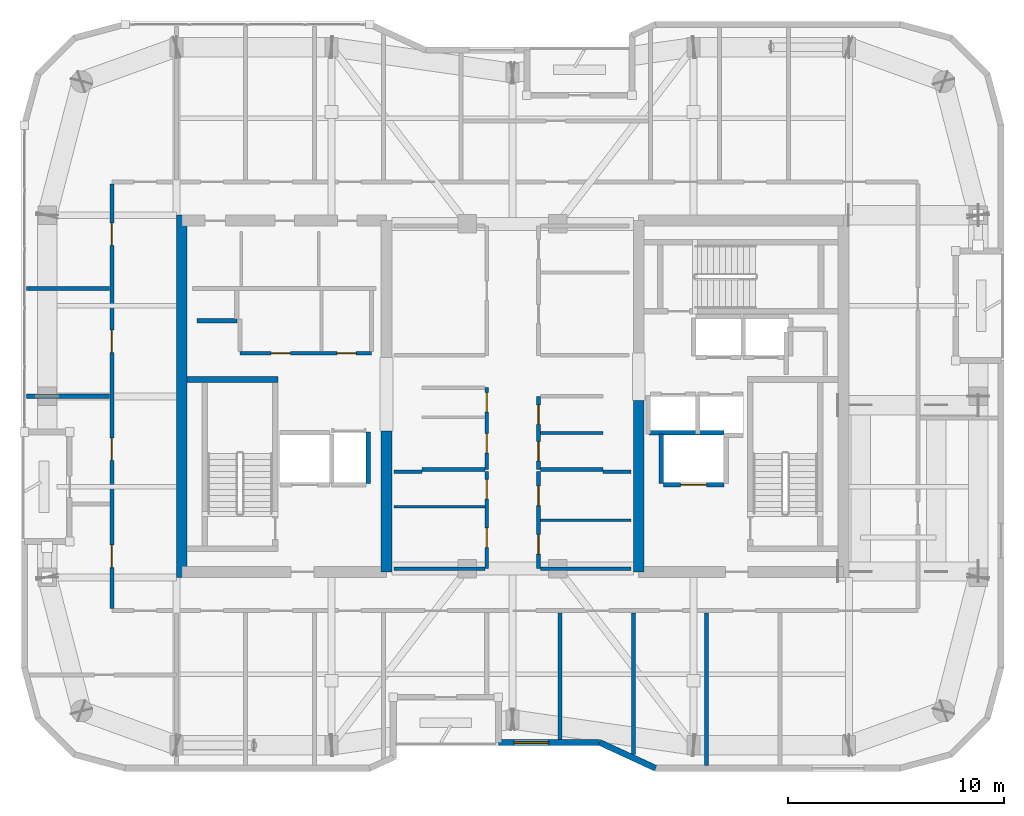
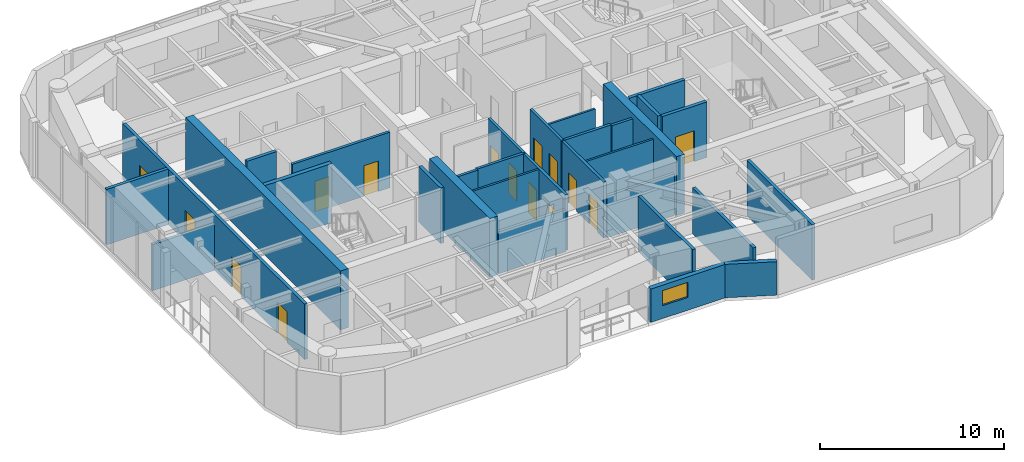
# One storey, part 11 of 16: 31 walls, 15 doors, 1 window, 16 openings.
"""IFC4 building model written with IfcOpenShell, lengths in metres."""

from ifc_helpers import new_model, si_unit, direction, frame, frame_2d, origin, place, context, subcontext, project, spatial, rectangle, extrude, material, layer, layer_set, type_object, element, fill, save


model = new_model("IFC4")

# Units and contexts
model_context = context("Model", 3, precision=1e-05, world=origin(), true_north=direction((0.0, 1.0)))
body_context = subcontext(model_context, "Body", "Model", "MODEL_VIEW")
ifc_project = project(units=[si_unit("LENGTHUNIT", "METRE"), si_unit("AREAUNIT", "SQUARE_METRE"), si_unit("VOLUMEUNIT", "CUBIC_METRE"), si_unit("PLANEANGLEUNIT", "RADIAN"), si_unit("MASSUNIT", "GRAM", prefix="KILO")], contexts=[model_context])

# Site, building, storey
site_placement = place(None, origin())
site = spatial("IfcSite", under=ifc_project, at=site_placement, CompositionType="ELEMENT")
building_placement = place(site_placement, origin())
building = spatial("IfcBuilding", under=site, at=building_placement, Name="Kiyonajd Concourse Tower", CompositionType="ELEMENT")
storey_placement = place(building_placement, frame((0.0, 0.0, 346.5)))
storey = spatial("IfcBuildingStorey", under=building, at=storey_placement, Name="L87", CompositionType="ELEMENT", Elevation=346.5)

# Walls
ifc_material_1 = material(Name="Concrete C60/75", Category="concrete")
ifc_layer_1 = layer(ifc_material_1, 0.5)
ifc_layer_set_1 = layer_set([ifc_layer_1], Name="Concrete C60/75")
wall_type_1 = type_object("IfcWallType", Name="WL-CORE-500", PredefinedType="SHEAR", material=ifc_layer_set_1)
wall_1_placement = place(storey_placement, frame((32.64990234375, 27.60009765625, 0.0), z_axis=(0.0, 0.0, 1.0), x_axis=(0.0, 1.0, 0.0)))
element("IfcWall", 1, at=wall_1_placement, inside=storey, type_object=wall_type_1, Name="L87 West Core Outer Shear Wall", PredefinedType="SHEAR", context=body_context, shape_type="SweptSolid", body=[
    extrude(rectangle(XDim=16.7998046875, YDim=0.5, at=frame_2d((8.39990234375, 0.0))), origin(), (0.0, 0.0, 1.0), 3.89990234375),
])
wall_2_placement = place(storey_placement, frame((42.14990234375, 27.85009765625, 0.0), z_axis=(0.0, 0.0, 1.0), x_axis=(0.0, 1.0, 0.0)))
element("IfcWall", 2, at=wall_2_placement, inside=storey, type_object=wall_type_1, Name="L87 West Core Inner South Shear Wall", PredefinedType="SHEAR", context=body_context, shape_type="SweptSolid", body=[
    extrude(rectangle(XDim=6.5498046875, YDim=0.5, at=frame_2d((3.27490234375, 0.0))), origin(), (0.0, 0.0, 1.0), 3.89990234375),
])
wall_3_placement = place(storey_placement, frame((53.85009765625, 27.85009765625, 0.0), z_axis=(0.0, 0.0, 1.0), x_axis=(0.0, 1.0, 0.0)))
element("IfcWall", 3, at=wall_3_placement, inside=storey, type_object=wall_type_1, Name="L87 East Core Inner South Shear Wall", PredefinedType="SHEAR", context=body_context, shape_type="SweptSolid", body=[
    extrude(rectangle(XDim=7.949951171875, YDim=0.5, at=frame_2d((3.97509765625, 0.0))), origin(), (0.0, 0.0, 1.0), 3.89990234375),
])
ifc_material_2 = material(Name="Precast concrete C50/60", Category="concrete")
ifc_layer_2 = layer(ifc_material_2, 0.280029296875)
ifc_layer_set_2 = layer_set([ifc_layer_2], Name="Precast concrete C50/60")
wall_type_2 = type_object("IfcWallType", Name="WL-EXT-280", PredefinedType="SOLIDWALL", material=ifc_layer_set_2)
wall_4_placement = place(storey_placement, frame((54.630615234375, 18.739990234375, 0.0), z_axis=(0.0, 0.0, 1.0), x_axis=(-0.907956889006, 0.419063584324, 0.0)))
element("IfcWall", 4, at=wall_4_placement, inside=storey, type_object=wall_type_2, Name="L87 Exterior Concrete Frame Wall 29", PredefinedType="SOLIDWALL", context=body_context, shape_type="SweptSolid", body=[
    extrude(rectangle(XDim=2.863525390625, YDim=0.280029296875, at=frame_2d((1.431640625, 0.0))), origin(), (0.0, 0.0, 1.0), 2.215087890625),
])

# Wall, opening, window
wall_5_placement = place(storey_placement, frame((52.03076171875, 19.93994140625, 0.0), z_axis=(0.0, 0.0, 1.0), x_axis=(-1.0, 0.0, 0.0)))
wall_5 = element("IfcWall", 5, at=wall_5_placement, inside=storey, type_object=wall_type_2, Name="L87 Exterior Concrete Frame Wall 30", PredefinedType="SOLIDWALL", context=body_context, shape_type="SweptSolid", body=[
    extrude(rectangle(XDim=4.690673828125, YDim=0.280029296875, at=frame_2d((2.34521484375, 0.0))), origin(), (0.0, 0.0, 1.0), 2.215087890625),
])
opening_1_placement = place(wall_5_placement, frame((2.365966796875, 0.0, 0.85009765625)))
opening_1 = element("IfcOpeningElement", 6, at=opening_1_placement, cuts=wall_5, Name="Opening WN6", PredefinedType="OPENING", context=body_context, shape_type="SweptSolid", body=[
    extrude(rectangle(XDim=1.60009765625, YDim=1.0, at=frame_2d((0.800048828125, 0.5))), frame((0.0, 0.14990234375, 0.0), z_axis=(0.0, -1.0, 0.0), x_axis=(1.0, 0.0, 0.0)), (0.0, 0.0, 1.0), 0.300048828125),
])
ifc_material_3 = material(Name="Double Low-E Insulated Glass", Category="glass")
window_type = type_object("IfcWindowType", Name="WN-VIS-1600x1000", PartitioningType="SINGLE_PANEL", PredefinedType="WINDOW", material=ifc_material_3)
window_placement = place(opening_1_placement, origin())
window = element("IfcWindow", 7, at=window_placement, inside=storey, type_object=window_type, Name="L87 Modular Facade Vision Window 30", OverallHeight=1.0, OverallWidth=1.60009765625, PartitioningType="SINGLE_PANEL", PredefinedType="WINDOW", context=body_context, shape_type="SweptSolid", body=[
    extrude(rectangle(XDim=1.60009765625, YDim=1.0, at=frame_2d((0.800048828125, 0.5))), frame((0.0, 0.030029296875, 0.0), z_axis=(0.0, -1.0, 0.0), x_axis=(1.0, 0.0, 0.0)), (0.0, 0.0, 1.0), 0.06005859375),
])
fill(opening_1, window)

# Walls
ifc_material_4 = material(Name="Gypsum Board on Cold-Formed Steel Stud", Category="steel")
ifc_layer_3 = layer(ifc_material_4, 0.125)
ifc_layer_set_3 = layer_set([ifc_layer_3], Name="Gypsum Board on Cold-Formed Steel Stud")
wall_type_3 = type_object("IfcWallType", Name="WL-PART-125", PredefinedType="PARTITIONING", material=ifc_layer_set_3)
wall_6_placement = place(storey_placement, frame((49.287109375, 34.300048828125, 0.0), z_axis=(0.0, 0.0, 1.0), x_axis=(1.0, 0.0, 0.0)))
element("IfcWall", 8, at=wall_6_placement, inside=storey, type_object=wall_type_3, Name="L87 Interior Partition Wall", PredefinedType="PARTITIONING", context=body_context, shape_type="SweptSolid", body=[
    extrude(rectangle(XDim=2.912841796875, YDim=0.125, at=frame_2d((1.45654296875, 0.0))), origin(), (0.0, 0.0, 1.0), 3.679931640625),
])
for number, where, z_axis, x_axis, name in (
    (9, (42.5, 30.8798828125, 0.0), (0.0, 0.0, 1.0), (1.0, 0.0, 0.0), "L87 Interior Partition Wall"),
    (10, (49.287109375, 30.25, 0.0), (0.0, 0.0, 1.0), (1.0, 0.0, 0.0), "L87 Interior Partition Wall"),
):
    element("IfcWall", number, at=place(storey_placement, frame(where, z_axis=z_axis, x_axis=x_axis)), inside=storey, type_object=wall_type_3, Name=name, PredefinedType="PARTITIONING", context=body_context, shape_type="SweptSolid", body=[
        extrude(rectangle(XDim=4.212890625, YDim=0.125, at=frame_2d((2.1064453125, 0.0))), origin(), (0.0, 0.0, 1.0), 3.679931640625),
    ])

# Wall, openings, doors
ifc_layer_4 = layer(ifc_material_4, 0.18994140625)
ifc_layer_set_4 = layer_set([ifc_layer_4], Name="Gypsum Board on Cold-Formed Steel Stud")
wall_type_4 = type_object("IfcWallType", Name="WL-PLMB-190", PredefinedType="PLUMBINGWALL", material=ifc_layer_set_4)
wall_7_placement = place(storey_placement, frame((29.39990234375, 26.14697265625, 0.0), z_axis=(0.0, 0.0, 1.0), x_axis=(0.0, 1.0, 0.0)))
wall_7 = element("IfcWall", 11, at=wall_7_placement, inside=storey, type_object=wall_type_4, Name="L87 Interior Partition Wall", PredefinedType="PLUMBINGWALL", context=body_context, shape_type="SweptSolid", body=[
    extrude(rectangle(XDim=19.7060546875, YDim=0.18994140625, at=frame_2d((9.85302734375, 0.0))), origin(), (0.0, 0.0, 1.0), 3.679931640625),
])
opening_2_placement = place(wall_7_placement, frame((1.903076171875, 0.0, 0.0)))
opening_2 = element("IfcOpeningElement", 12, at=opening_2_placement, cuts=wall_7, Name="Opening DF5", PredefinedType="OPENING", context=body_context, shape_type="SweptSolid", body=[
    extrude(rectangle(XDim=1.050048828125, YDim=2.0400390625, at=frame_2d((0.52490234375, 1.02001953125))), frame((0.0, 0.10498046875, 0.0), z_axis=(0.0, -1.0, 0.0), x_axis=(1.0, 0.0, 0.0)), (0.0, 0.0, 1.0), 0.2099609375),
])
opening_3_placement = place(wall_7_placement, frame((6.8779296875, 0.0, 0.0)))
opening_3 = element("IfcOpeningElement", 13, at=opening_3_placement, cuts=wall_7, Name="Opening DF5", PredefinedType="OPENING", context=body_context, shape_type="SweptSolid", body=[
    extrude(rectangle(XDim=1.050048828125, YDim=2.0400390625, at=frame_2d((0.52490234375, 1.02001953125))), frame((0.0, 0.10498046875, 0.0), z_axis=(0.0, -1.0, 0.0), x_axis=(1.0, 0.0, 0.0)), (0.0, 0.0, 1.0), 0.2099609375),
])
opening_4_placement = place(wall_7_placement, frame((11.8779296875, 0.0, 0.0)))
opening_4 = element("IfcOpeningElement", 14, at=opening_4_placement, cuts=wall_7, Name="Opening DF5", PredefinedType="OPENING", context=body_context, shape_type="SweptSolid", body=[
    extrude(rectangle(XDim=1.050048828125, YDim=2.0400390625, at=frame_2d((0.52490234375, 1.02001953125))), frame((0.0, 0.10498046875, 0.0), z_axis=(0.0, -1.0, 0.0), x_axis=(1.0, 0.0, 0.0)), (0.0, 0.0, 1.0), 0.2099609375),
])
opening_5_placement = place(wall_7_placement, frame((16.85302734375, 0.0, 0.0)))
opening_5 = element("IfcOpeningElement", 15, at=opening_5_placement, cuts=wall_7, Name="Opening DF5", PredefinedType="OPENING", context=body_context, shape_type="SweptSolid", body=[
    extrude(rectangle(XDim=1.050048828125, YDim=2.0400390625, at=frame_2d((0.52490234375, 1.02001953125))), frame((0.0, 0.10498046875, 0.0), z_axis=(0.0, -1.0, 0.0), x_axis=(1.0, 0.0, 0.0)), (0.0, 0.0, 1.0), 0.2099609375),
])
ifc_material_5 = material(Name="Brushed Stainless Steel Cab Assembly", Category="steel")
door_type_1 = type_object("IfcDoorType", Name="DR-FD45-1050", OperationType="NOTDEFINED", PredefinedType="DOOR", material=ifc_material_5)
door_1_placement = place(opening_2_placement, origin())
door_1 = element("IfcDoor", 16, at=door_1_placement, inside=storey, type_object=door_type_1, Name="L87 Interior Door", OperationType="SINGLE_SWING_RIGHT", OverallHeight=2.0400390625, OverallWidth=1.050048828125, PredefinedType="DOOR", context=body_context, shape_type="SweptSolid", body=[
    extrude(rectangle(XDim=1.050048828125, YDim=2.0400390625, at=frame_2d((0.52490234375, 1.02001953125))), frame((0.0, 0.02490234375, 0.0), z_axis=(0.0, -1.0, 0.0), x_axis=(1.0, 0.0, 0.0)), (0.0, 0.0, 1.0), 0.050048828125),
])
fill(opening_2, door_1)
door_2_placement = place(opening_3_placement, origin())
door_2 = element("IfcDoor", 17, at=door_2_placement, inside=storey, type_object=door_type_1, Name="L87 Interior Door", OperationType="SINGLE_SWING_LEFT", OverallHeight=2.0400390625, OverallWidth=1.050048828125, PredefinedType="DOOR", context=body_context, shape_type="SweptSolid", body=[
    extrude(rectangle(XDim=1.050048828125, YDim=2.0400390625, at=frame_2d((0.52490234375, 1.02001953125))), frame((0.0, 0.02490234375, 0.0), z_axis=(0.0, -1.0, 0.0), x_axis=(1.0, 0.0, 0.0)), (0.0, 0.0, 1.0), 0.050048828125),
])
fill(opening_3, door_2)
door_3_placement = place(opening_4_placement, origin())
door_3 = element("IfcDoor", 18, at=door_3_placement, inside=storey, type_object=door_type_1, Name="L87 Interior Door", OperationType="SINGLE_SWING_RIGHT", OverallHeight=2.0400390625, OverallWidth=1.050048828125, PredefinedType="DOOR", context=body_context, shape_type="SweptSolid", body=[
    extrude(rectangle(XDim=1.050048828125, YDim=2.0400390625, at=frame_2d((0.52490234375, 1.02001953125))), frame((0.0, 0.02490234375, 0.0), z_axis=(0.0, -1.0, 0.0), x_axis=(1.0, 0.0, 0.0)), (0.0, 0.0, 1.0), 0.050048828125),
])
fill(opening_4, door_3)
door_4_placement = place(opening_5_placement, origin())
door_4 = element("IfcDoor", 19, at=door_4_placement, inside=storey, type_object=door_type_1, Name="L87 Interior Door", OperationType="SINGLE_SWING_LEFT", OverallHeight=2.0400390625, OverallWidth=1.050048828125, PredefinedType="DOOR", context=body_context, shape_type="SweptSolid", body=[
    extrude(rectangle(XDim=1.050048828125, YDim=2.0400390625, at=frame_2d((0.52490234375, 1.02001953125))), frame((0.0, 0.02490234375, 0.0), z_axis=(0.0, -1.0, 0.0), x_axis=(1.0, 0.0, 0.0)), (0.0, 0.0, 1.0), 0.050048828125),
])
fill(opening_5, door_4)

# Walls
wall_8_placement = place(storey_placement, frame((50.199951171875, 20.074951171875, 0.0), z_axis=(0.0, 0.0, 1.0), x_axis=(0.0, 1.0, 0.0)))
element("IfcWall", 20, at=wall_8_placement, inside=storey, type_object=wall_type_4, Name="L87 Interior Partition Wall", PredefinedType="PLUMBINGWALL", context=body_context, shape_type="SweptSolid", body=[
    extrude(rectangle(XDim=5.8779296875, YDim=0.18994140625, at=frame_2d((2.93896484375, 0.0))), origin(), (0.0, 0.0, 1.0), 3.679931640625),
])
wall_9_placement = place(storey_placement, frame((53.60009765625, 19.366943359375, 0.0), z_axis=(0.0, 0.0, 1.0), x_axis=(0.0, 1.0, 0.0)))
element("IfcWall", 21, at=wall_9_placement, inside=storey, type_object=wall_type_4, Name="L87 Interior Partition Wall", PredefinedType="PLUMBINGWALL", context=body_context, shape_type="SweptSolid", body=[
    extrude(rectangle(XDim=6.5859375, YDim=0.18994140625, at=frame_2d((3.29296875, 0.0))), origin(), (0.0, 0.0, 1.0), 3.04296875),
])
wall_10_placement = place(storey_placement, frame((57.0, 18.875, 0.0), z_axis=(0.0, 0.0, 1.0), x_axis=(0.0, 1.0, 0.0)))
element("IfcWall", 22, at=wall_10_placement, inside=storey, type_object=wall_type_4, Name="L87 Interior Partition Wall", PredefinedType="PLUMBINGWALL", context=body_context, shape_type="SweptSolid", body=[
    extrude(rectangle(XDim=7.077880859375, YDim=0.18994140625, at=frame_2d((3.5390625, 0.0))), origin(), (0.0, 0.0, 1.0), 3.679931640625),
])
wall_11_placement = place(storey_placement, frame((25.445068359375, 36.0, 0.0), z_axis=(0.0, 0.0, 1.0), x_axis=(1.0, 0.0, 0.0)))
element("IfcWall", 23, at=wall_11_placement, inside=storey, type_object=wall_type_4, Name="L87 Interior Partition Wall", PredefinedType="PLUMBINGWALL", context=body_context, shape_type="SweptSolid", body=[
    extrude(rectangle(XDim=3.85791015625, YDim=0.18994140625, at=frame_2d((1.928955078125, 0.0))), origin(), (0.0, 0.0, 1.0), 3.053955078125),
])
wall_12_placement = place(storey_placement, frame((25.445068359375, 41.0, 0.0), z_axis=(0.0, 0.0, 1.0), x_axis=(1.0, 0.0, 0.0)))
element("IfcWall", 24, at=wall_12_placement, inside=storey, type_object=wall_type_4, Name="L87 Interior Partition Wall", PredefinedType="PLUMBINGWALL", context=body_context, shape_type="SweptSolid", body=[
    extrude(rectangle(XDim=3.85791015625, YDim=0.18994140625, at=frame_2d((1.928955078125, 0.0))), origin(), (0.0, 0.0, 1.0), 3.679931640625),
])
ifc_layer_5 = layer(ifc_material_4, 0.2099609375)
ifc_layer_set_5 = layer_set([ifc_layer_5], Name="Gypsum Board on Cold-Formed Steel Stud")
wall_type_5 = type_object("IfcWallType", Name="WL-SHAFT-210", PredefinedType="PARTITIONING", material=ifc_layer_set_5)
wall_13_placement = place(storey_placement, frame((33.360107421875, 39.5, 0.0), z_axis=(0.0, 0.0, 1.0), x_axis=(1.0, 0.0, 0.0)))
element("IfcWall", 25, at=wall_13_placement, inside=storey, type_object=wall_type_5, Name="L87 Shaft Enclosure Wall", PredefinedType="PARTITIONING", context=body_context, shape_type="SweptSolid", body=[
    extrude(rectangle(XDim=1.85986328125, YDim=0.2099609375, at=frame_2d((0.929931640625, 0.0))), origin(), (0.0, 0.0, 1.0), 3.679931640625),
])

# Wall, opening, door
wall_14_placement = place(storey_placement, frame((55.0, 31.89990234375, 0.0), z_axis=(0.0, 0.0, 1.0), x_axis=(1.0, 0.0, 0.0)))
wall_14 = element("IfcWall", 26, at=wall_14_placement, inside=storey, type_object=wall_type_5, Name="L87 Shaft Enclosure Wall", PredefinedType="PARTITIONING", context=body_context, shape_type="SweptSolid", body=[
    extrude(rectangle(XDim=2.800048828125, YDim=0.2099609375, at=frame_2d((1.39990234375, 0.0))), origin(), (0.0, 0.0, 1.0), 3.679931640625),
])
opening_6_placement = place(wall_14_placement, frame((0.800048828125, 0.0, 0.0)))
opening_6 = element("IfcOpeningElement", 27, at=opening_6_placement, cuts=wall_14, Name="Opening LD2", PredefinedType="OPENING", context=body_context, shape_type="SweptSolid", body=[
    extrude(rectangle(XDim=1.199951171875, YDim=2.0400390625, at=frame_2d((0.60009765625, 1.02001953125))), frame((0.0, 0.114990234375, 0.0), z_axis=(0.0, -1.0, 0.0), x_axis=(1.0, 0.0, 0.0)), (0.0, 0.0, 1.0), 0.22998046875),
])
door_type_2 = type_object("IfcDoorType", Name="DR-LD-1200", OperationType="DOUBLE_DOOR_SLIDING", PredefinedType="DOOR", material=ifc_material_5)
door_5_placement = place(opening_6_placement, origin())
door_5 = element("IfcDoor", 28, at=door_5_placement, inside=storey, type_object=door_type_2, Name="L87 Lift FFL2 Sliding Landing Door", OperationType="DOUBLE_DOOR_SLIDING", OverallHeight=2.0400390625, OverallWidth=1.199951171875, PredefinedType="DOOR", context=body_context, shape_type="SweptSolid", body=[
    extrude(rectangle(XDim=1.199951171875, YDim=2.0400390625, at=frame_2d((0.60009765625, 1.02001953125))), frame((0.0, 0.02490234375, 0.0), z_axis=(0.0, -1.0, 0.0), x_axis=(1.0, 0.0, 0.0)), (0.0, 0.0, 1.0), 0.050048828125),
])
fill(opening_6, door_5)

# Walls
wall_15_placement = place(storey_placement, frame((54.320068359375, 34.300048828125, 0.0), z_axis=(0.0, 0.0, 1.0), x_axis=(1.0, 0.0, 0.0)))
element("IfcWall", 29, at=wall_15_placement, inside=storey, type_object=wall_type_5, Name="L87 Shaft Enclosure Wall", PredefinedType="PARTITIONING", context=body_context, shape_type="SweptSolid", body=[
    extrude(rectangle(XDim=3.47998046875, YDim=0.2099609375, at=frame_2d((1.739990234375, 0.0))), origin(), (0.0, 0.0, 1.0), 3.679931640625),
])
wall_16_placement = place(storey_placement, frame((54.89990234375, 31.9599609375, 0.0), z_axis=(0.0, 0.0, 1.0), x_axis=(0.0, 1.0, 0.0)))
element("IfcWall", 30, at=wall_16_placement, inside=storey, type_object=wall_type_5, Name="L87 Shaft Enclosure Wall", PredefinedType="PARTITIONING", context=body_context, shape_type="SweptSolid", body=[
    extrude(rectangle(XDim=2.280029296875, YDim=0.2099609375, at=frame_2d((1.14013671875, 0.0))), origin(), (0.0, 0.0, 1.0), 3.679931640625),
])
wall_17_placement = place(storey_placement, frame((41.300048828125, 31.9599609375, 0.0), z_axis=(0.0, 0.0, 1.0), x_axis=(0.0, 1.0, 0.0)))
element("IfcWall", 31, at=wall_17_placement, inside=storey, type_object=wall_type_5, Name="L87 Shaft Enclosure Wall", PredefinedType="PARTITIONING", context=body_context, shape_type="SweptSolid", body=[
    extrude(rectangle(XDim=2.380126953125, YDim=0.2099609375, at=frame_2d((1.18994140625, 0.0))), origin(), (0.0, 0.0, 1.0), 3.679931640625),
])

# Wall, openings, doors
ifc_layer_6 = layer(ifc_material_4, 0.169921875)
ifc_layer_set_6 = layer_set([ifc_layer_6], Name="Gypsum Board on Cold-Formed Steel Stud")
wall_type_6 = type_object("IfcWallType", Name="WL-SMK-170", PredefinedType="PARTITIONING", material=ifc_layer_set_6)
wall_18_placement = place(storey_placement, frame((35.35009765625, 38.0, 0.0), z_axis=(0.0, 0.0, 1.0), x_axis=(1.0, 0.0, 0.0)))
wall_18 = element("IfcWall", 32, at=wall_18_placement, inside=storey, type_object=wall_type_6, Name="L87 Interior Partition Wall", PredefinedType="PARTITIONING", context=body_context, shape_type="SweptSolid", body=[
    extrude(rectangle(XDim=6.099853515625, YDim=0.169921875, at=frame_2d((3.0498046875, 0.0))), origin(), (0.0, 0.0, 1.0), 3.679931640625),
])
opening_7_placement = place(wall_18_placement, frame((1.44091796875, 0.0, 0.0)))
opening_7 = element("IfcOpeningElement", 33, at=opening_7_placement, cuts=wall_18, Name="Opening DF4", PredefinedType="OPENING", context=body_context, shape_type="SweptSolid", body=[
    extrude(rectangle(XDim=0.89990234375, YDim=2.02001953125, at=frame_2d((0.449951171875, 1.010009765625))), frame((0.0, 0.094970703125, 0.0), z_axis=(0.0, -1.0, 0.0), x_axis=(1.0, 0.0, 0.0)), (0.0, 0.0, 1.0), 0.18994140625),
])
opening_8_placement = place(wall_18_placement, frame((4.490966796875, 0.0, 0.0)))
opening_8 = element("IfcOpeningElement", 34, at=opening_8_placement, cuts=wall_18, Name="Opening DF4", PredefinedType="OPENING", context=body_context, shape_type="SweptSolid", body=[
    extrude(rectangle(XDim=0.89990234375, YDim=2.02001953125, at=frame_2d((0.449951171875, 1.010009765625))), frame((0.0, 0.094970703125, 0.0), z_axis=(0.0, -1.0, 0.0), x_axis=(1.0, 0.0, 0.0)), (0.0, 0.0, 1.0), 0.18994140625),
])
door_type_3 = type_object("IfcDoorType", Name="DR-FD60-900", OperationType="NOTDEFINED", PredefinedType="DOOR", material=ifc_material_5)
door_6_placement = place(opening_7_placement, origin())
door_6 = element("IfcDoor", 35, at=door_6_placement, inside=storey, type_object=door_type_3, Name="L87 Interior Door", OperationType="SINGLE_SWING_RIGHT", OverallHeight=2.02001953125, OverallWidth=0.89990234375, PredefinedType="DOOR", context=body_context, shape_type="SweptSolid", body=[
    extrude(rectangle(XDim=0.89990234375, YDim=2.02001953125, at=frame_2d((0.449951171875, 1.010009765625))), frame((0.0, 0.02490234375, 0.0), z_axis=(0.0, -1.0, 0.0), x_axis=(1.0, 0.0, 0.0)), (0.0, 0.0, 1.0), 0.050048828125),
])
fill(opening_7, door_6)
door_7_placement = place(opening_8_placement, origin())
door_7 = element("IfcDoor", 36, at=door_7_placement, inside=storey, type_object=door_type_3, Name="L87 Interior Door", OperationType="SINGLE_SWING_LEFT", OverallHeight=2.02001953125, OverallWidth=0.89990234375, PredefinedType="DOOR", context=body_context, shape_type="SweptSolid", body=[
    extrude(rectangle(XDim=0.89990234375, YDim=2.02001953125, at=frame_2d((0.449951171875, 1.010009765625))), frame((0.0, 0.02490234375, 0.0), z_axis=(0.0, -1.0, 0.0), x_axis=(1.0, 0.0, 0.0)), (0.0, 0.0, 1.0), 0.050048828125),
])
fill(opening_8, door_7)

wall_19_placement = place(storey_placement, frame((46.800048828125, 32.60009765625, 0.0), z_axis=(0.0, 0.0, 1.0), x_axis=(0.0, 1.0, 0.0)))
wall_19 = element("IfcWall", 37, at=wall_19_placement, inside=storey, type_object=wall_type_6, Name="L87 Interior Partition Wall", PredefinedType="PARTITIONING", context=body_context, shape_type="SweptSolid", body=[
    extrude(rectangle(XDim=3.7998046875, YDim=0.169921875, at=frame_2d((1.89990234375, 0.0))), origin(), (0.0, 0.0, 1.0), 3.679931640625),
])
opening_9_placement = place(wall_19_placement, frame((0.76611328125, 0.0, 0.0)))
opening_9 = element("IfcOpeningElement", 38, at=opening_9_placement, cuts=wall_19, Name="Opening DF4", PredefinedType="OPENING", context=body_context, shape_type="SweptSolid", body=[
    extrude(rectangle(XDim=0.89990234375, YDim=2.02001953125, at=frame_2d((0.449951171875, 1.010009765625))), frame((0.0, 0.094970703125, 0.0), z_axis=(0.0, -1.0, 0.0), x_axis=(1.0, 0.0, 0.0)), (0.0, 0.0, 1.0), 0.18994140625),
])
opening_10_placement = place(wall_19_placement, frame((2.666015625, 0.0, 0.0)))
opening_10 = element("IfcOpeningElement", 39, at=opening_10_placement, cuts=wall_19, Name="Opening DF4", PredefinedType="OPENING", context=body_context, shape_type="SweptSolid", body=[
    extrude(rectangle(XDim=0.89990234375, YDim=2.02001953125, at=frame_2d((0.449951171875, 1.010009765625))), frame((0.0, 0.094970703125, 0.0), z_axis=(0.0, -1.0, 0.0), x_axis=(1.0, 0.0, 0.0)), (0.0, 0.0, 1.0), 0.18994140625),
])
door_8_placement = place(opening_9_placement, origin())
door_8 = element("IfcDoor", 40, at=door_8_placement, inside=storey, type_object=door_type_3, Name="L87 Interior Door", OperationType="SINGLE_SWING_RIGHT", OverallHeight=2.02001953125, OverallWidth=0.89990234375, PredefinedType="DOOR", context=body_context, shape_type="SweptSolid", body=[
    extrude(rectangle(XDim=0.89990234375, YDim=2.02001953125, at=frame_2d((0.449951171875, 1.010009765625))), frame((0.0, 0.02490234375, 0.0), z_axis=(0.0, -1.0, 0.0), x_axis=(1.0, 0.0, 0.0)), (0.0, 0.0, 1.0), 0.050048828125),
])
fill(opening_9, door_8)
door_9_placement = place(opening_10_placement, origin())
door_9 = element("IfcDoor", 41, at=door_9_placement, inside=storey, type_object=door_type_3, Name="L87 Interior Door", OperationType="SINGLE_SWING_LEFT", OverallHeight=2.02001953125, OverallWidth=0.89990234375, PredefinedType="DOOR", context=body_context, shape_type="SweptSolid", body=[
    extrude(rectangle(XDim=0.89990234375, YDim=2.02001953125, at=frame_2d((0.449951171875, 1.010009765625))), frame((0.0, 0.02490234375, 0.0), z_axis=(0.0, -1.0, 0.0), x_axis=(1.0, 0.0, 0.0)), (0.0, 0.0, 1.0), 0.050048828125),
])
fill(opening_10, door_9)

# Wall
wall_20_placement = place(storey_placement, frame((43.800048828125, 32.60009765625, 0.0), z_axis=(0.0, 0.0, 1.0), x_axis=(1.0, 0.0, 0.0)))
element("IfcWall", 42, at=wall_20_placement, inside=storey, type_object=wall_type_6, Name="L87 Interior Partition Wall", PredefinedType="PARTITIONING", context=body_context, shape_type="SweptSolid", body=[
    extrude(rectangle(XDim=2.912841796875, YDim=0.169921875, at=frame_2d((1.45654296875, 0.0))), origin(), (0.0, 0.0, 1.0), 3.679931640625),
])

# Wall, openings, doors
wall_21_placement = place(storey_placement, frame((49.199951171875, 32.60009765625, 0.0), z_axis=(0.0, 0.0, 1.0), x_axis=(0.0, 1.0, 0.0)))
wall_21 = element("IfcWall", 43, at=wall_21_placement, inside=storey, type_object=wall_type_6, Name="L87 Interior Partition Wall", PredefinedType="PARTITIONING", context=body_context, shape_type="SweptSolid", body=[
    extrude(rectangle(XDim=3.39990234375, YDim=0.169921875, at=frame_2d((1.699951171875, 0.0))), origin(), (0.0, 0.0, 1.0), 3.679931640625),
])
opening_11_placement = place(wall_21_placement, frame((0.39990234375, 0.0, 0.0)))
opening_11 = element("IfcOpeningElement", 44, at=opening_11_placement, cuts=wall_21, Name="Opening DI2", PredefinedType="OPENING", context=body_context, shape_type="SweptSolid", body=[
    extrude(rectangle(XDim=0.89990234375, YDim=2.02001953125, at=frame_2d((0.449951171875, 1.010009765625))), frame((0.0, 0.094970703125, 0.0), z_axis=(0.0, -1.0, 0.0), x_axis=(1.0, 0.0, 0.0)), (0.0, 0.0, 1.0), 0.18994140625),
])
opening_12_placement = place(wall_21_placement, frame((2.10009765625, 0.0, 0.0)))
opening_12 = element("IfcOpeningElement", 45, at=opening_12_placement, cuts=wall_21, Name="Opening DI2", PredefinedType="OPENING", context=body_context, shape_type="SweptSolid", body=[
    extrude(rectangle(XDim=0.89990234375, YDim=2.02001953125, at=frame_2d((0.449951171875, 1.010009765625))), frame((0.0, 0.094970703125, 0.0), z_axis=(0.0, -1.0, 0.0), x_axis=(1.0, 0.0, 0.0)), (0.0, 0.0, 1.0), 0.18994140625),
])
ifc_material_6 = material(Name="Natural Oak Acoustic Timber Veneer", Category="wood")
door_type_4 = type_object("IfcDoorType", Name="DR-INT-900", OperationType="NOTDEFINED", PredefinedType="DOOR", material=ifc_material_6)
door_10_placement = place(opening_11_placement, origin())
door_10 = element("IfcDoor", 46, at=door_10_placement, inside=storey, type_object=door_type_4, Name="L87 Interior Door", OperationType="SINGLE_SWING_RIGHT", OverallHeight=2.02001953125, OverallWidth=0.89990234375, PredefinedType="DOOR", context=body_context, shape_type="SweptSolid", body=[
    extrude(rectangle(XDim=0.89990234375, YDim=2.02001953125, at=frame_2d((0.449951171875, 1.010009765625))), frame((0.0, 0.02490234375, 0.0), z_axis=(0.0, -1.0, 0.0), x_axis=(1.0, 0.0, 0.0)), (0.0, 0.0, 1.0), 0.050048828125),
])
fill(opening_11, door_10)
door_11_placement = place(opening_12_placement, origin())
door_11 = element("IfcDoor", 47, at=door_11_placement, inside=storey, type_object=door_type_4, Name="L87 Interior Door", OperationType="SINGLE_SWING_LEFT", OverallHeight=2.02001953125, OverallWidth=0.89990234375, PredefinedType="DOOR", context=body_context, shape_type="SweptSolid", body=[
    extrude(rectangle(XDim=0.89990234375, YDim=2.02001953125, at=frame_2d((0.449951171875, 1.010009765625))), frame((0.0, 0.02490234375, 0.0), z_axis=(0.0, -1.0, 0.0), x_axis=(1.0, 0.0, 0.0)), (0.0, 0.0, 1.0), 0.050048828125),
])
fill(opening_12, door_11)

# Wall
wall_22_placement = place(storey_placement, frame((49.287109375, 32.60009765625, 0.0), z_axis=(0.0, 0.0, 1.0), x_axis=(1.0, 0.0, 0.0)))
element("IfcWall", 48, at=wall_22_placement, inside=storey, type_object=wall_type_6, Name="L87 Interior Partition Wall", PredefinedType="PARTITIONING", context=body_context, shape_type="SweptSolid", body=[
    extrude(rectangle(XDim=2.912841796875, YDim=0.169921875, at=frame_2d((1.45654296875, 0.0))), origin(), (0.0, 0.0, 1.0), 3.679931640625),
])

# Wall, openings, doors
wall_23_placement = place(storey_placement, frame((46.800048828125, 28.0, 0.0), z_axis=(0.0, 0.0, 1.0), x_axis=(0.0, 1.0, 0.0)))
wall_23 = element("IfcWall", 49, at=wall_23_placement, inside=storey, type_object=wall_type_6, Name="L87 Interior Partition Wall", PredefinedType="PARTITIONING", context=body_context, shape_type="SweptSolid", body=[
    extrude(rectangle(XDim=4.5, YDim=0.169921875, at=frame_2d((2.25, 0.0))), origin(), (0.0, 0.0, 1.0), 3.679931640625),
])
opening_13_placement = place(wall_23_placement, frame((0.989990234375, 0.0, 0.0)))
opening_13 = element("IfcOpeningElement", 50, at=opening_13_placement, cuts=wall_23, Name="Opening DF4", PredefinedType="OPENING", context=body_context, shape_type="SweptSolid", body=[
    extrude(rectangle(XDim=0.89990234375, YDim=2.02001953125, at=frame_2d((0.449951171875, 1.010009765625))), frame((0.0, 0.094970703125, 0.0), z_axis=(0.0, -1.0, 0.0), x_axis=(1.0, 0.0, 0.0)), (0.0, 0.0, 1.0), 0.18994140625),
])
opening_14_placement = place(wall_23_placement, frame((3.239990234375, 0.0, 0.0)))
opening_14 = element("IfcOpeningElement", 51, at=opening_14_placement, cuts=wall_23, Name="Opening DF4", PredefinedType="OPENING", context=body_context, shape_type="SweptSolid", body=[
    extrude(rectangle(XDim=0.89990234375, YDim=2.02001953125, at=frame_2d((0.449951171875, 1.010009765625))), frame((0.0, 0.094970703125, 0.0), z_axis=(0.0, -1.0, 0.0), x_axis=(1.0, 0.0, 0.0)), (0.0, 0.0, 1.0), 0.18994140625),
])
door_12_placement = place(opening_13_placement, origin())
door_12 = element("IfcDoor", 52, at=door_12_placement, inside=storey, type_object=door_type_3, Name="L87 Interior Door", OperationType="SINGLE_SWING_RIGHT", OverallHeight=2.02001953125, OverallWidth=0.89990234375, PredefinedType="DOOR", context=body_context, shape_type="SweptSolid", body=[
    extrude(rectangle(XDim=0.89990234375, YDim=2.02001953125, at=frame_2d((0.449951171875, 1.010009765625))), frame((0.0, 0.02490234375, 0.0), z_axis=(0.0, -1.0, 0.0), x_axis=(1.0, 0.0, 0.0)), (0.0, 0.0, 1.0), 0.050048828125),
])
fill(opening_13, door_12)
door_13_placement = place(opening_14_placement, origin())
door_13 = element("IfcDoor", 53, at=door_13_placement, inside=storey, type_object=door_type_3, Name="L87 Interior Door", OperationType="SINGLE_SWING_LEFT", OverallHeight=2.02001953125, OverallWidth=0.89990234375, PredefinedType="DOOR", context=body_context, shape_type="SweptSolid", body=[
    extrude(rectangle(XDim=0.89990234375, YDim=2.02001953125, at=frame_2d((0.449951171875, 1.010009765625))), frame((0.0, 0.02490234375, 0.0), z_axis=(0.0, -1.0, 0.0), x_axis=(1.0, 0.0, 0.0)), (0.0, 0.0, 1.0), 0.050048828125),
])
fill(opening_14, door_13)

# Walls
wall_24_placement = place(storey_placement, frame((42.5, 28.0, 0.0), z_axis=(0.0, 0.0, 1.0), x_axis=(1.0, 0.0, 0.0)))
element("IfcWall", 54, at=wall_24_placement, inside=storey, type_object=wall_type_6, Name="L87 Interior Partition Wall", PredefinedType="PARTITIONING", context=body_context, shape_type="SweptSolid", body=[
    extrude(rectangle(XDim=4.212890625, YDim=0.169921875, at=frame_2d((2.1064453125, 0.0))), origin(), (0.0, 0.0, 1.0), 2.764892578125),
])
wall_25_placement = place(storey_placement, frame((42.5, 32.5, 0.0), z_axis=(0.0, 0.0, 1.0), x_axis=(1.0, 0.0, 0.0)))
element("IfcWall", 55, at=wall_25_placement, inside=storey, type_object=wall_type_6, Name="L87 Interior Partition Wall", PredefinedType="PARTITIONING", context=body_context, shape_type="SweptSolid", body=[
    extrude(rectangle(XDim=1.300048828125, YDim=0.169921875, at=frame_2d((0.64990234375, 0.0))), origin(), (0.0, 0.0, 1.0), 3.679931640625),
])

# Wall, openings, doors
wall_26_placement = place(storey_placement, frame((49.199951171875, 28.0, 0.0), z_axis=(0.0, 0.0, 1.0), x_axis=(0.0, 1.0, 0.0)))
wall_26 = element("IfcWall", 56, at=wall_26_placement, inside=storey, type_object=wall_type_6, Name="L87 Interior Partition Wall", PredefinedType="PARTITIONING", context=body_context, shape_type="SweptSolid", body=[
    extrude(rectangle(XDim=4.5, YDim=0.169921875, at=frame_2d((2.25, 0.0))), origin(), (0.0, 0.0, 1.0), 3.679931640625),
])
opening_15_placement = place(wall_26_placement, frame((0.675048828125, 0.0, 0.0)))
opening_15 = element("IfcOpeningElement", 57, at=opening_15_placement, cuts=wall_26, Name="Opening DI2", PredefinedType="OPENING", context=body_context, shape_type="SweptSolid", body=[
    extrude(rectangle(XDim=0.89990234375, YDim=2.02001953125, at=frame_2d((0.449951171875, 1.010009765625))), frame((0.0, 0.094970703125, 0.0), z_axis=(0.0, -1.0, 0.0), x_axis=(1.0, 0.0, 0.0)), (0.0, 0.0, 1.0), 0.18994140625),
])
opening_16_placement = place(wall_26_placement, frame((2.925048828125, 0.0, 0.0)))
opening_16 = element("IfcOpeningElement", 58, at=opening_16_placement, cuts=wall_26, Name="Opening DI2", PredefinedType="OPENING", context=body_context, shape_type="SweptSolid", body=[
    extrude(rectangle(XDim=0.89990234375, YDim=2.02001953125, at=frame_2d((0.449951171875, 1.010009765625))), frame((0.0, 0.094970703125, 0.0), z_axis=(0.0, -1.0, 0.0), x_axis=(1.0, 0.0, 0.0)), (0.0, 0.0, 1.0), 0.18994140625),
])
door_14_placement = place(opening_15_placement, origin())
door_14 = element("IfcDoor", 59, at=door_14_placement, inside=storey, type_object=door_type_4, Name="L87 Interior Door", OperationType="SINGLE_SWING_RIGHT", OverallHeight=2.02001953125, OverallWidth=0.89990234375, PredefinedType="DOOR", context=body_context, shape_type="SweptSolid", body=[
    extrude(rectangle(XDim=0.89990234375, YDim=2.02001953125, at=frame_2d((0.449951171875, 1.010009765625))), frame((0.0, 0.02490234375, 0.0), z_axis=(0.0, -1.0, 0.0), x_axis=(1.0, 0.0, 0.0)), (0.0, 0.0, 1.0), 0.050048828125),
])
fill(opening_15, door_14)
door_15_placement = place(opening_16_placement, origin())
door_15 = element("IfcDoor", 60, at=door_15_placement, inside=storey, type_object=door_type_4, Name="L87 Interior Door", OperationType="SINGLE_SWING_LEFT", OverallHeight=2.02001953125, OverallWidth=0.89990234375, PredefinedType="DOOR", context=body_context, shape_type="SweptSolid", body=[
    extrude(rectangle(XDim=0.89990234375, YDim=2.02001953125, at=frame_2d((0.449951171875, 1.010009765625))), frame((0.0, 0.02490234375, 0.0), z_axis=(0.0, -1.0, 0.0), x_axis=(1.0, 0.0, 0.0)), (0.0, 0.0, 1.0), 0.050048828125),
])
fill(opening_16, door_15)

# Walls
wall_27_placement = place(storey_placement, frame((49.287109375, 28.0, 0.0), z_axis=(0.0, 0.0, 1.0), x_axis=(1.0, 0.0, 0.0)))
element("IfcWall", 61, at=wall_27_placement, inside=storey, type_object=wall_type_6, Name="L87 Interior Partition Wall", PredefinedType="PARTITIONING", context=body_context, shape_type="SweptSolid", body=[
    extrude(rectangle(XDim=4.212890625, YDim=0.169921875, at=frame_2d((2.1064453125, 0.0))), origin(), (0.0, 0.0, 1.0), 2.764892578125),
])
wall_28_placement = place(storey_placement, frame((52.199951171875, 32.5, 0.0), z_axis=(0.0, 0.0, 1.0), x_axis=(1.0, 0.0, 0.0)))
element("IfcWall", 62, at=wall_28_placement, inside=storey, type_object=wall_type_6, Name="L87 Interior Partition Wall", PredefinedType="PARTITIONING", context=body_context, shape_type="SweptSolid", body=[
    extrude(rectangle(XDim=1.300048828125, YDim=0.169921875, at=frame_2d((0.64990234375, 0.0))), origin(), (0.0, 0.0, 1.0), 3.679931640625),
])
ifc_material_7 = material(Name="Concrete C50/60", Category="concrete")
ifc_layer_7 = layer(ifc_material_7, 0.260009765625)
ifc_layer_set_7 = layer_set([ifc_layer_7], Name="Concrete C50/60")
wall_type_7 = type_object("IfcWallType", Name="WL-STAIR-260", PredefinedType="SHEAR", material=ifc_layer_set_7)
wall_29_placement = place(storey_placement, frame((32.89990234375, 36.780029296875, 0.0), z_axis=(0.0, 0.0, 1.0), x_axis=(1.0, 0.0, 0.0)))
element("IfcWall", 63, at=wall_29_placement, inside=storey, type_object=wall_type_7, Name="L87 Stair ST1 Structural North Wall", PredefinedType="SHEAR", context=body_context, shape_type="SweptSolid", body=[
    extrude(rectangle(XDim=4.210205078125, YDim=0.260009765625, at=frame_2d((2.10498046875, 0.0))), origin(), (0.0, 0.0, 1.0), 3.89990234375),
])

save(model, "model.ifc")
